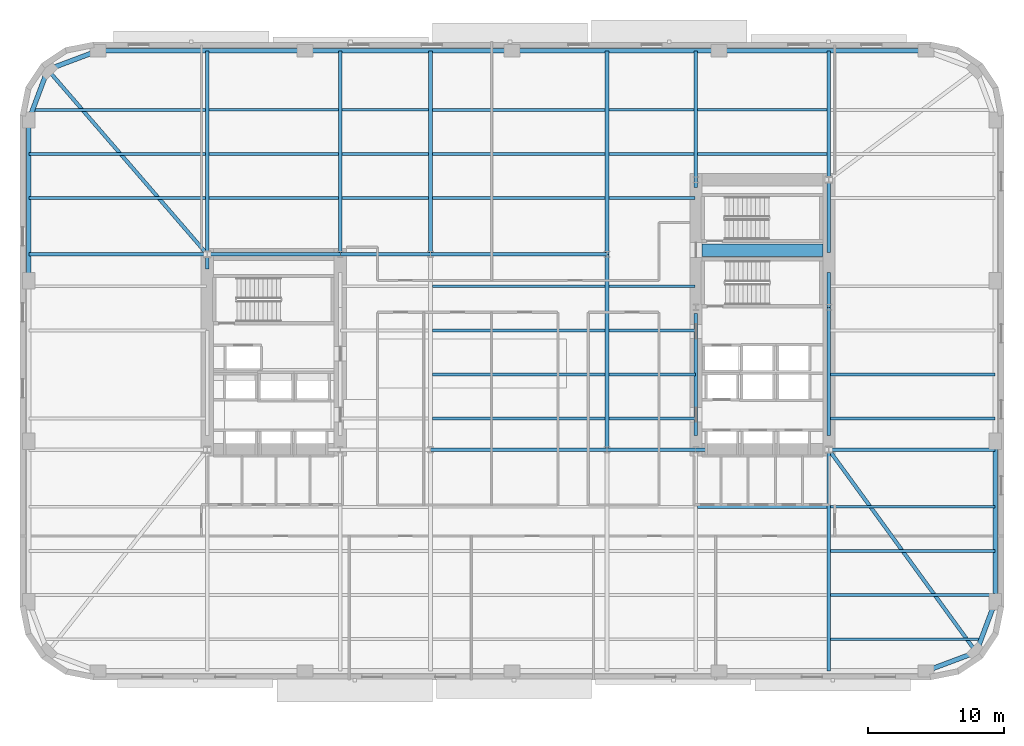
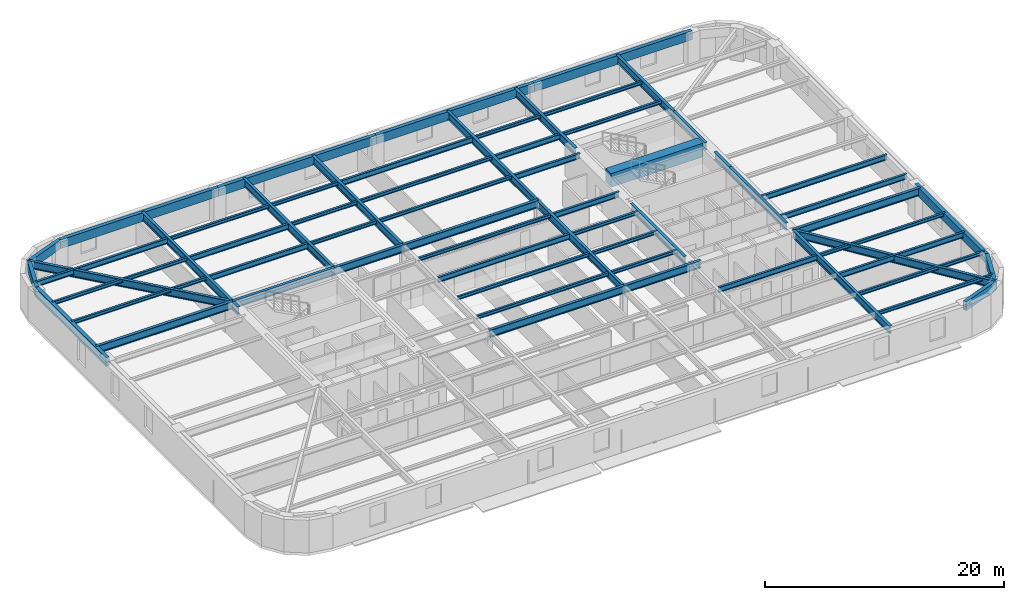
# One storey, part 2 of 14: 64 beams.
"""IFC4 building model written with IfcOpenShell, lengths in metres."""

from ifc_helpers import new_model, si_unit, direction, frame, origin, origin_2d, place, context, subcontext, project, spatial, rectangle, hollow_rectangle, i_section, extrude, material, material_profile, profile_set, type_object, element, save


model = new_model("IFC4")

# Units and contexts
model_context = context("Model", 3, precision=1e-05, world=origin(), true_north=direction((0.0, 1.0)))
body_context = subcontext(model_context, "Body", "Model", "MODEL_VIEW")
ifc_project = project(units=[si_unit("LENGTHUNIT", "METRE"), si_unit("AREAUNIT", "SQUARE_METRE"), si_unit("VOLUMEUNIT", "CUBIC_METRE"), si_unit("PLANEANGLEUNIT", "RADIAN"), si_unit("MASSUNIT", "GRAM", prefix="KILO")], contexts=[model_context])

# Site, building, storey
site_placement = place(None, origin())
site = spatial("IfcSite", under=ifc_project, at=site_placement, CompositionType="ELEMENT")
building_placement = place(site_placement, origin())
building = spatial("IfcBuilding", under=site, at=building_placement, Name="Kolvaren Arena Tower", CompositionType="ELEMENT")
storey_placement = place(building_placement, frame((0.0, 0.0, 90.75)))
storey = spatial("IfcBuildingStorey", under=building, at=storey_placement, Name="L20", CompositionType="ELEMENT", Elevation=90.75)

# Beams
ifc_material_1 = material(Name="Steel CSA G40.21 350W", Category="steel")
ifc_material_profile_1 = material_profile(ifc_material_1, i_section(OverallWidth=0.2119140625, OverallDepth=0.54296875, WebThickness=0.01318359375, FlangeThickness=0.0244140625, FilletRadius=0.013916015625, at=origin_2d()), Name="W530x150")
ifc_profile_set_1 = profile_set([ifc_material_profile_1], Name="Steel CSA G40.21 350W")
beam_type_1 = type_object("IfcBeamType", Name="BEAM-F1", PredefinedType="BEAM", material=ifc_profile_set_1)
beam_1_placement = place(storey_placement, frame((60.485107421875, 12.0, 3.05859375), z_axis=(1.0, 0.0, 0.0), x_axis=(0.0, 1.0, 0.0)))
element("IfcBeam", 1, at=beam_1_placement, inside=storey, type_object=beam_type_1, Name="Composite Floor Beam (L20)", PredefinedType="BEAM", context=body_context, shape_type="SweptSolid", body=[
    extrude(i_section(OverallWidth=0.2119140625, OverallDepth=0.54296875, WebThickness=0.01318359375, FlangeThickness=0.0244140625, FilletRadius=0.013916015625, at=origin_2d()), origin(), (0.0, 0.0, 1.0), 12.114990234375),
])
beam_2_placement = place(storey_placement, frame((50.68505859375, 15.25, 3.05859375), z_axis=(1.0, 0.0, 0.0), x_axis=(0.0, 1.0, 0.0)))
element("IfcBeam", 2, at=beam_2_placement, inside=storey, type_object=beam_type_1, Name="Composite Floor Beam (L20)", PredefinedType="BEAM", context=body_context, shape_type="SweptSolid", body=[
    extrude(i_section(OverallWidth=0.2119140625, OverallDepth=0.54296875, WebThickness=0.01318359375, FlangeThickness=0.0244140625, FilletRadius=0.013916015625, at=origin_2d()), origin(), (0.0, 0.0, 1.0), 9.530029296875),
])
for number, where, z_axis, x_axis, name in (
    (3, (60.3701171875, 21.75, 3.05859375), (1.0, 0.0, 0.0), (0.0, 1.0, 0.0), "Composite Floor Beam (L20)"),
    (4, (60.3701171875, 25.0, 3.05859375), (1.0, 0.0, 0.0), (0.0, 1.0, 0.0), "Composite Floor Beam (L20)"),
):
    element("IfcBeam", number, at=place(storey_placement, frame(where, z_axis=z_axis, x_axis=x_axis)), inside=storey, type_object=beam_type_1, Name=name, PredefinedType="BEAM", context=body_context, shape_type="SweptSolid", body=[
        extrude(i_section(OverallWidth=0.2119140625, OverallDepth=0.54296875, WebThickness=0.01318359375, FlangeThickness=0.0244140625, FilletRadius=0.013916015625, at=origin_2d()), origin(), (0.0, 0.0, 1.0), 12.22998046875),
    ])
beam_3_placement = place(storey_placement, frame((31.135009765625, 28.25, 3.05859375), z_axis=(1.0, 0.0, 0.0), x_axis=(0.0, 1.0, 0.0)))
element("IfcBeam", 5, at=beam_3_placement, inside=storey, type_object=beam_type_1, Name="Composite Floor Beam (L20)", PredefinedType="BEAM", context=body_context, shape_type="SweptSolid", body=[
    extrude(i_section(OverallWidth=0.2119140625, OverallDepth=0.54296875, WebThickness=0.01318359375, FlangeThickness=0.0244140625, FilletRadius=0.013916015625, at=origin_2d()), origin(), (0.0, 0.0, 1.0), 12.72998046875),
])
beam_4_placement = place(storey_placement, frame((44.135009765625, 31.5, 3.05859375), z_axis=(1.0, 0.0, 0.0), x_axis=(0.0, 1.0, 0.0)))
element("IfcBeam", 6, at=beam_4_placement, inside=storey, type_object=beam_type_1, Name="Composite Floor Beam (L20)", PredefinedType="BEAM", context=body_context, shape_type="SweptSolid", body=[
    extrude(i_section(OverallWidth=0.2119140625, OverallDepth=0.54296875, WebThickness=0.01318359375, FlangeThickness=0.0244140625, FilletRadius=0.013916015625, at=origin_2d()), origin(), (0.0, 0.0, 1.0), 6.344970703125),
])
beam_5_placement = place(storey_placement, frame((14.68505859375, 38.0, 3.05859375), z_axis=(1.0, 0.0, 0.0), x_axis=(0.0, 1.0, 0.0)))
element("IfcBeam", 7, at=beam_5_placement, inside=storey, type_object=beam_type_1, Name="Composite Floor Beam (L20)", PredefinedType="BEAM", context=body_context, shape_type="SweptSolid", body=[
    extrude(i_section(OverallWidth=0.2119140625, OverallDepth=0.54296875, WebThickness=0.01318359375, FlangeThickness=0.0244140625, FilletRadius=0.013916015625, at=origin_2d()), origin(), (0.0, 0.0, 1.0), 9.530029296875),
])
beam_6_placement = place(storey_placement, frame((44.135009765625, 38.0, 3.05859375), z_axis=(1.0, 0.0, 0.0), x_axis=(0.0, 1.0, 0.0)))
element("IfcBeam", 8, at=beam_6_placement, inside=storey, type_object=beam_type_1, Name="Composite Floor Beam (L20)", PredefinedType="BEAM", context=body_context, shape_type="SweptSolid", body=[
    extrude(i_section(OverallWidth=0.2119140625, OverallDepth=0.54296875, WebThickness=0.01318359375, FlangeThickness=0.0244140625, FilletRadius=0.013916015625, at=origin_2d()), origin(), (0.0, 0.0, 1.0), 6.344970703125),
])
beam_7_placement = place(storey_placement, frame((14.68505859375, 41.25, 3.05859375), z_axis=(1.0, 0.0, 0.0), x_axis=(0.0, 1.0, 0.0)))
element("IfcBeam", 9, at=beam_7_placement, inside=storey, type_object=beam_type_1, Name="Composite Floor Beam (L20)", PredefinedType="BEAM", context=body_context, shape_type="SweptSolid", body=[
    extrude(i_section(OverallWidth=0.2119140625, OverallDepth=0.54296875, WebThickness=0.01318359375, FlangeThickness=0.0244140625, FilletRadius=0.013916015625, at=origin_2d()), origin(), (0.0, 0.0, 1.0), 9.530029296875),
])
beam_8_placement = place(storey_placement, frame((44.135009765625, 41.25, 3.05859375), z_axis=(1.0, 0.0, 0.0), x_axis=(0.0, 1.0, 0.0)))
element("IfcBeam", 10, at=beam_8_placement, inside=storey, type_object=beam_type_1, Name="Composite Floor Beam (L20)", PredefinedType="BEAM", context=body_context, shape_type="SweptSolid", body=[
    extrude(i_section(OverallWidth=0.2119140625, OverallDepth=0.54296875, WebThickness=0.01318359375, FlangeThickness=0.0244140625, FilletRadius=0.013916015625, at=origin_2d()), origin(), (0.0, 0.0, 1.0), 6.280029296875),
])
beam_9_placement = place(storey_placement, frame((1.681396484375, 44.5, 3.05859375), z_axis=(1.0, 0.0, 0.0), x_axis=(0.0, 1.0, 0.0)))
element("IfcBeam", 11, at=beam_9_placement, inside=storey, type_object=beam_type_1, Name="Composite Floor Beam (L20)", PredefinedType="BEAM", context=body_context, shape_type="SweptSolid", body=[
    extrude(i_section(OverallWidth=0.2119140625, OverallDepth=0.54296875, WebThickness=0.01318359375, FlangeThickness=0.0244140625, FilletRadius=0.013916015625, at=origin_2d()), origin(), (0.0, 0.0, 1.0), 12.733642578125),
])
beam_10_placement = place(storey_placement, frame((31.135009765625, 44.5, 3.05859375), z_axis=(1.0, 0.0, 0.0), x_axis=(0.0, 1.0, 0.0)))
element("IfcBeam", 12, at=beam_10_placement, inside=storey, type_object=beam_type_1, Name="Composite Floor Beam (L20)", PredefinedType="BEAM", context=body_context, shape_type="SweptSolid", body=[
    extrude(i_section(OverallWidth=0.2119140625, OverallDepth=0.54296875, WebThickness=0.01318359375, FlangeThickness=0.0244140625, FilletRadius=0.013916015625, at=origin_2d()), origin(), (0.0, 0.0, 1.0), 12.72998046875),
])
ifc_material_2 = material(Name="Concrete 75 MPa", Category="concrete")
ifc_material_profile_2 = material_profile(ifc_material_2, rectangle(XDim=0.89990234375, YDim=1.39990234375, at=origin_2d()), Name="RC-900x1400")
ifc_profile_set_2 = profile_set([ifc_material_profile_2], Name="Concrete 75 MPa")
beam_type_2 = type_object("IfcBeamType", Name="CB-CORE-1", PredefinedType="BEAM", material=ifc_profile_set_2)
beam_11_placement = place(storey_placement, frame((51.0, 34.14990234375, 2.89990234375), z_axis=(1.0, 0.0, 0.0), x_axis=(0.0, 1.0, 0.0)))
element("IfcBeam", 13, at=beam_11_placement, inside=storey, type_object=beam_type_2, Name="East Core Coupling Beam (L20)", PredefinedType="BEAM", context=body_context, shape_type="SweptSolid", body=[
    extrude(rectangle(XDim=0.89990234375, YDim=1.39990234375, at=origin_2d()), origin(), (0.0, 0.0, 1.0), 8.89990234375),
])
ifc_material_profile_3 = material_profile(ifc_material_1, i_section(OverallWidth=0.27001953125, OverallDepth=0.77294921875, WebThickness=0.019287109375, FlangeThickness=0.033447265625, FilletRadius=0.01806640625, at=origin_2d()), Name="W760x257")
ifc_profile_set_3 = profile_set([ifc_material_profile_3], Name="Steel CSA G40.21 350W")
beam_type_3 = type_object("IfcBeamType", Name="GIRD-T1", PredefinedType="BEAM", material=ifc_profile_set_3)
beam_12_placement = place(storey_placement, frame((71.208740234375, 4.541259765625, 2.943603515625), z_axis=(-0.588737448901, 0.80832432616, 0.0), x_axis=(-0.80832432616, -0.588737448901, 0.0)))
element("IfcBeam", 14, at=beam_12_placement, inside=storey, type_object=beam_type_3, Name="Corner Diagonal Tie Girder (L20)", PredefinedType="BEAM", context=body_context, shape_type="SweptSolid", body=[
    extrude(i_section(OverallWidth=0.27001953125, OverallDepth=0.77294921875, WebThickness=0.019287109375, FlangeThickness=0.033447265625, FilletRadius=0.01806640625, at=origin_2d()), origin(), (0.0, 0.0, 1.0), 18.44384765625),
])
beam_13_placement = place(storey_placement, frame((2.791259765625, 47.458740234375, 2.943603515625), z_axis=(0.653806810332, -0.756661519283, 0.0), x_axis=(0.756661519283, 0.653806810332, 0.0)))
element("IfcBeam", 15, at=beam_13_placement, inside=storey, type_object=beam_type_3, Name="Corner Diagonal Tie Girder (L20)", PredefinedType="BEAM", context=body_context, shape_type="SweptSolid", body=[
    extrude(i_section(OverallWidth=0.27001953125, OverallDepth=0.77294921875, WebThickness=0.019287109375, FlangeThickness=0.033447265625, FilletRadius=0.01806640625, at=origin_2d()), origin(), (0.0, 0.0, 1.0), 17.985107421875),
])
beam_14_placement = place(storey_placement, frame((31.0, 19.449951171875, 2.943603515625), z_axis=(1.0, 0.0, 0.0), x_axis=(0.0, 1.0, 0.0)))
element("IfcBeam", 16, at=beam_14_placement, inside=storey, type_object=beam_type_3, Name="Primary Floor Girder (L20)", PredefinedType="BEAM", context=body_context, shape_type="SweptSolid", body=[
    extrude(i_section(OverallWidth=0.27001953125, OverallDepth=0.77294921875, WebThickness=0.019287109375, FlangeThickness=0.033447265625, FilletRadius=0.01806640625, at=origin_2d()), origin(), (0.0, 0.0, 1.0), 13.0),
])
beam_15_placement = place(storey_placement, frame((44.0, 19.449951171875, 2.943603515625), z_axis=(1.0, 0.0, 0.0), x_axis=(0.0, 1.0, 0.0)))
element("IfcBeam", 17, at=beam_15_placement, inside=storey, type_object=beam_type_3, Name="Primary Floor Girder (L20)", PredefinedType="BEAM", context=body_context, shape_type="SweptSolid", body=[
    extrude(i_section(OverallWidth=0.27001953125, OverallDepth=0.77294921875, WebThickness=0.019287109375, FlangeThickness=0.033447265625, FilletRadius=0.01806640625, at=origin_2d()), origin(), (0.0, 0.0, 1.0), 7.4150390625),
])
beam_16_placement = place(storey_placement, frame((60.35009765625, 19.449951171875, 2.943603515625), z_axis=(1.0, 0.0, 0.0), x_axis=(0.0, 1.0, 0.0)))
element("IfcBeam", 18, at=beam_16_placement, inside=storey, type_object=beam_type_3, Name="Primary Floor Girder (L20)", PredefinedType="BEAM", context=body_context, shape_type="SweptSolid", body=[
    extrude(i_section(OverallWidth=0.27001953125, OverallDepth=0.77294921875, WebThickness=0.019287109375, FlangeThickness=0.033447265625, FilletRadius=0.01806640625, at=origin_2d()), origin(), (0.0, 0.0, 1.0), 12.25),
])
beam_17_placement = place(storey_placement, frame((1.39990234375, 33.85009765625, 2.943603515625), z_axis=(1.0, 0.0, 0.0), x_axis=(0.0, 1.0, 0.0)))
element("IfcBeam", 19, at=beam_17_placement, inside=storey, type_object=beam_type_3, Name="Primary Floor Girder (L20)", PredefinedType="BEAM", context=body_context, shape_type="SweptSolid", body=[
    extrude(i_section(OverallWidth=0.27001953125, OverallDepth=0.77294921875, WebThickness=0.019287109375, FlangeThickness=0.033447265625, FilletRadius=0.01806640625, at=origin_2d()), origin(), (0.0, 0.0, 1.0), 13.150146484375),
])
beam_18_placement = place(storey_placement, frame((14.550048828125, 33.85009765625, 2.943603515625), z_axis=(1.0, 0.0, 0.0), x_axis=(0.0, 1.0, 0.0)))
element("IfcBeam", 20, at=beam_18_placement, inside=storey, type_object=beam_type_3, Name="Primary Floor Girder (L20)", PredefinedType="BEAM", context=body_context, shape_type="SweptSolid", body=[
    extrude(i_section(OverallWidth=0.27001953125, OverallDepth=0.77294921875, WebThickness=0.019287109375, FlangeThickness=0.033447265625, FilletRadius=0.01806640625, at=origin_2d()), origin(), (0.0, 0.0, 1.0), 9.800048828125),
])
beam_19_placement = place(storey_placement, frame((24.35009765625, 33.85009765625, 2.943603515625), z_axis=(1.0, 0.0, 0.0), x_axis=(0.0, 1.0, 0.0)))
element("IfcBeam", 21, at=beam_19_placement, inside=storey, type_object=beam_type_3, Name="Primary Floor Girder (L20)", PredefinedType="BEAM", context=body_context, shape_type="SweptSolid", body=[
    extrude(i_section(OverallWidth=0.27001953125, OverallDepth=0.77294921875, WebThickness=0.019287109375, FlangeThickness=0.033447265625, FilletRadius=0.01806640625, at=origin_2d()), origin(), (0.0, 0.0, 1.0), 6.64990234375),
])
beam_20_placement = place(storey_placement, frame((31.0, 33.85009765625, 2.943603515625), z_axis=(1.0, 0.0, 0.0), x_axis=(0.0, 1.0, 0.0)))
element("IfcBeam", 22, at=beam_20_placement, inside=storey, type_object=beam_type_3, Name="Primary Floor Girder (L20)", PredefinedType="BEAM", context=body_context, shape_type="SweptSolid", body=[
    extrude(i_section(OverallWidth=0.27001953125, OverallDepth=0.77294921875, WebThickness=0.019287109375, FlangeThickness=0.033447265625, FilletRadius=0.01806640625, at=origin_2d()), origin(), (0.0, 0.0, 1.0), 13.0),
])
beam_21_placement = place(storey_placement, frame((14.550048828125, 32.7900390625, 2.943603515625), z_axis=(0.0, 1.0, 0.0), x_axis=(-1.0, 0.0, 0.0)))
element("IfcBeam", 23, at=beam_21_placement, inside=storey, type_object=beam_type_3, Name="Primary Floor Girder (L20)", PredefinedType="BEAM", context=body_context, shape_type="SweptSolid", body=[
    extrude(i_section(OverallWidth=0.27001953125, OverallDepth=0.77294921875, WebThickness=0.019287109375, FlangeThickness=0.033447265625, FilletRadius=0.01806640625, at=origin_2d()), origin(), (0.0, 0.0, 1.0), 16.06005859375),
])
for number, where, z_axis, x_axis, name in (
    (24, (24.35009765625, 33.85009765625, 2.943603515625), (0.0, 1.0, 0.0), (-1.0, 0.0, 0.0), "Primary Floor Girder (L20)"),
    (25, (31.0, 33.85009765625, 2.943603515625), (0.0, 1.0, 0.0), (-1.0, 0.0, 0.0), "Primary Floor Girder (L20)"),
):
    element("IfcBeam", number, at=place(storey_placement, frame(where, z_axis=z_axis, x_axis=x_axis)), inside=storey, type_object=beam_type_3, Name=name, PredefinedType="BEAM", context=body_context, shape_type="SweptSolid", body=[
        extrude(i_section(OverallWidth=0.27001953125, OverallDepth=0.77294921875, WebThickness=0.019287109375, FlangeThickness=0.033447265625, FilletRadius=0.01806640625, at=origin_2d()), origin(), (0.0, 0.0, 1.0), 15.0),
    ])
beam_22_placement = place(storey_placement, frame((44.0, 19.449951171875, 2.943603515625), z_axis=(0.0, 1.0, 0.0), x_axis=(-1.0, 0.0, 0.0)))
element("IfcBeam", 26, at=beam_22_placement, inside=storey, type_object=beam_type_3, Name="Primary Floor Girder (L20)", PredefinedType="BEAM", context=body_context, shape_type="SweptSolid", body=[
    extrude(i_section(OverallWidth=0.27001953125, OverallDepth=0.77294921875, WebThickness=0.019287109375, FlangeThickness=0.033447265625, FilletRadius=0.01806640625, at=origin_2d()), origin(), (0.0, 0.0, 1.0), 14.400146484375),
])
beam_23_placement = place(storey_placement, frame((44.0, 33.85009765625, 2.943603515625), z_axis=(0.0, 1.0, 0.0), x_axis=(-1.0, 0.0, 0.0)))
element("IfcBeam", 27, at=beam_23_placement, inside=storey, type_object=beam_type_3, Name="Primary Floor Girder (L20)", PredefinedType="BEAM", context=body_context, shape_type="SweptSolid", body=[
    extrude(i_section(OverallWidth=0.27001953125, OverallDepth=0.77294921875, WebThickness=0.019287109375, FlangeThickness=0.033447265625, FilletRadius=0.01806640625, at=origin_2d()), origin(), (0.0, 0.0, 1.0), 15.0),
])
beam_24_placement = place(storey_placement, frame((50.550048828125, 20.5, 2.943603515625), z_axis=(0.0, 1.0, 0.0), x_axis=(-1.0, 0.0, 0.0)))
element("IfcBeam", 28, at=beam_24_placement, inside=storey, type_object=beam_type_3, Name="Primary Floor Girder (L20)", PredefinedType="BEAM", context=body_context, shape_type="SweptSolid", body=[
    extrude(i_section(OverallWidth=0.27001953125, OverallDepth=0.77294921875, WebThickness=0.019287109375, FlangeThickness=0.033447265625, FilletRadius=0.01806640625, at=origin_2d()), origin(), (0.0, 0.0, 1.0), 8.989990234375),
])
beam_25_placement = place(storey_placement, frame((50.550048828125, 38.760009765625, 2.943603515625), z_axis=(0.0, 1.0, 0.0), x_axis=(-1.0, 0.0, 0.0)))
element("IfcBeam", 29, at=beam_25_placement, inside=storey, type_object=beam_type_3, Name="Primary Floor Girder (L20)", PredefinedType="BEAM", context=body_context, shape_type="SweptSolid", body=[
    extrude(i_section(OverallWidth=0.27001953125, OverallDepth=0.77294921875, WebThickness=0.019287109375, FlangeThickness=0.033447265625, FilletRadius=0.01806640625, at=origin_2d()), origin(), (0.0, 0.0, 1.0), 10.090087890625),
])
beam_26_placement = place(storey_placement, frame((60.35009765625, 3.14990234375, 2.943603515625), z_axis=(0.0, 1.0, 0.0), x_axis=(-1.0, 0.0, 0.0)))
element("IfcBeam", 30, at=beam_26_placement, inside=storey, type_object=beam_type_3, Name="Primary Floor Girder (L20)", PredefinedType="BEAM", context=body_context, shape_type="SweptSolid", body=[
    extrude(i_section(OverallWidth=0.27001953125, OverallDepth=0.77294921875, WebThickness=0.019287109375, FlangeThickness=0.033447265625, FilletRadius=0.01806640625, at=origin_2d()), origin(), (0.0, 0.0, 1.0), 16.300048828125),
])
beam_27_placement = place(storey_placement, frame((60.35009765625, 20.5, 2.943603515625), z_axis=(0.0, 1.0, 0.0), x_axis=(-1.0, 0.0, 0.0)))
element("IfcBeam", 31, at=beam_27_placement, inside=storey, type_object=beam_type_3, Name="Primary Floor Girder (L20)", PredefinedType="BEAM", context=body_context, shape_type="SweptSolid", body=[
    extrude(i_section(OverallWidth=0.27001953125, OverallDepth=0.77294921875, WebThickness=0.019287109375, FlangeThickness=0.033447265625, FilletRadius=0.01806640625, at=origin_2d()), origin(), (0.0, 0.0, 1.0), 9.449951171875),
])
beam_28_placement = place(storey_placement, frame((60.35009765625, 29.949951171875, 2.943603515625), z_axis=(0.0, 1.0, 0.0), x_axis=(-1.0, 0.0, 0.0)))
element("IfcBeam", 32, at=beam_28_placement, inside=storey, type_object=beam_type_3, Name="Primary Floor Girder (L20)", PredefinedType="BEAM", context=body_context, shape_type="SweptSolid", body=[
    extrude(i_section(OverallWidth=0.27001953125, OverallDepth=0.77294921875, WebThickness=0.019287109375, FlangeThickness=0.033447265625, FilletRadius=0.01806640625, at=origin_2d()), origin(), (0.0, 0.0, 1.0), 2.550048828125),
])
beam_29_placement = place(storey_placement, frame((60.35009765625, 33.985107421875, 2.943603515625), z_axis=(0.0, 1.0, 0.0), x_axis=(-1.0, 0.0, 0.0)))
element("IfcBeam", 33, at=beam_29_placement, inside=storey, type_object=beam_type_3, Name="Primary Floor Girder (L20)", PredefinedType="BEAM", context=body_context, shape_type="SweptSolid", body=[
    extrude(i_section(OverallWidth=0.27001953125, OverallDepth=0.77294921875, WebThickness=0.019287109375, FlangeThickness=0.033447265625, FilletRadius=0.01806640625, at=origin_2d()), origin(), (0.0, 0.0, 1.0), 5.364990234375),
])
beam_30_placement = place(storey_placement, frame((60.35009765625, 39.35009765625, 2.943603515625), z_axis=(0.0, 1.0, 0.0), x_axis=(-1.0, 0.0, 0.0)))
element("IfcBeam", 34, at=beam_30_placement, inside=storey, type_object=beam_type_3, Name="Primary Floor Girder (L20)", PredefinedType="BEAM", context=body_context, shape_type="SweptSolid", body=[
    extrude(i_section(OverallWidth=0.27001953125, OverallDepth=0.77294921875, WebThickness=0.019287109375, FlangeThickness=0.033447265625, FilletRadius=0.01806640625, at=origin_2d()), origin(), (0.0, 0.0, 1.0), 9.5),
])
ifc_material_profile_4 = material_profile(ifc_material_1, i_section(OverallWidth=0.202880859375, OverallDepth=0.346923828125, WebThickness=0.0078125, FlangeThickness=0.013427734375, FilletRadius=0.010986328125, at=origin_2d()), Name="W360x64")
ifc_profile_set_4 = profile_set([ifc_material_profile_4], Name="Steel CSA G40.21 350W")
beam_type_4 = type_object("IfcBeamType", Name="JOIST-01", PredefinedType="JOIST", material=ifc_profile_set_4)
beam_31_placement = place(storey_placement, frame((60.485107421875, 5.5, 3.156494140625), z_axis=(1.0, 0.0, 0.0), x_axis=(0.0, 1.0, 0.0)))
element("IfcBeam", 35, at=beam_31_placement, inside=storey, type_object=beam_type_4, Name="Composite Floor Joist (L20)", PredefinedType="JOIST", context=body_context, shape_type="SweptSolid", body=[
    extrude(i_section(OverallWidth=0.202880859375, OverallDepth=0.346923828125, WebThickness=0.0078125, FlangeThickness=0.013427734375, FilletRadius=0.010986328125, at=origin_2d()), origin(), (0.0, 0.0, 1.0), 11.08349609375),
])
for number, where, z_axis, x_axis, name in (
    (36, (60.485107421875, 8.75, 3.156494140625), (1.0, 0.0, 0.0), (0.0, 1.0, 0.0), "Composite Floor Joist (L20)"),
    (37, (60.485107421875, 15.25, 3.156494140625), (1.0, 0.0, 0.0), (0.0, 1.0, 0.0), "Composite Floor Joist (L20)"),
):
    element("IfcBeam", number, at=place(storey_placement, frame(where, z_axis=z_axis, x_axis=x_axis)), inside=storey, type_object=beam_type_4, Name=name, PredefinedType="JOIST", context=body_context, shape_type="SweptSolid", body=[
        extrude(i_section(OverallWidth=0.202880859375, OverallDepth=0.346923828125, WebThickness=0.0078125, FlangeThickness=0.013427734375, FilletRadius=0.010986328125, at=origin_2d()), origin(), (0.0, 0.0, 1.0), 12.114990234375),
    ])
beam_32_placement = place(storey_placement, frame((31.135009765625, 21.75, 3.156494140625), z_axis=(1.0, 0.0, 0.0), x_axis=(0.0, 1.0, 0.0)))
element("IfcBeam", 38, at=beam_32_placement, inside=storey, type_object=beam_type_4, Name="Composite Floor Joist (L20)", PredefinedType="JOIST", context=body_context, shape_type="SweptSolid", body=[
    extrude(i_section(OverallWidth=0.202880859375, OverallDepth=0.346923828125, WebThickness=0.0078125, FlangeThickness=0.013427734375, FilletRadius=0.010986328125, at=origin_2d()), origin(), (0.0, 0.0, 1.0), 12.72998046875),
])
beam_33_placement = place(storey_placement, frame((44.135009765625, 21.75, 3.156494140625), z_axis=(1.0, 0.0, 0.0), x_axis=(0.0, 1.0, 0.0)))
element("IfcBeam", 39, at=beam_33_placement, inside=storey, type_object=beam_type_4, Name="Composite Floor Joist (L20)", PredefinedType="JOIST", context=body_context, shape_type="SweptSolid", body=[
    extrude(i_section(OverallWidth=0.202880859375, OverallDepth=0.346923828125, WebThickness=0.0078125, FlangeThickness=0.013427734375, FilletRadius=0.010986328125, at=origin_2d()), origin(), (0.0, 0.0, 1.0), 6.39501953125),
])
beam_34_placement = place(storey_placement, frame((31.135009765625, 25.0, 3.156494140625), z_axis=(1.0, 0.0, 0.0), x_axis=(0.0, 1.0, 0.0)))
element("IfcBeam", 40, at=beam_34_placement, inside=storey, type_object=beam_type_4, Name="Composite Floor Joist (L20)", PredefinedType="JOIST", context=body_context, shape_type="SweptSolid", body=[
    extrude(i_section(OverallWidth=0.202880859375, OverallDepth=0.346923828125, WebThickness=0.0078125, FlangeThickness=0.013427734375, FilletRadius=0.010986328125, at=origin_2d()), origin(), (0.0, 0.0, 1.0), 12.72998046875),
])
for number, where, z_axis, x_axis, name in (
    (41, (44.135009765625, 25.0, 3.156494140625), (1.0, 0.0, 0.0), (0.0, 1.0, 0.0), "Composite Floor Joist (L20)"),
    (42, (44.135009765625, 28.25, 3.156494140625), (1.0, 0.0, 0.0), (0.0, 1.0, 0.0), "Composite Floor Joist (L20)"),
):
    element("IfcBeam", number, at=place(storey_placement, frame(where, z_axis=z_axis, x_axis=x_axis)), inside=storey, type_object=beam_type_4, Name=name, PredefinedType="JOIST", context=body_context, shape_type="SweptSolid", body=[
        extrude(i_section(OverallWidth=0.202880859375, OverallDepth=0.346923828125, WebThickness=0.0078125, FlangeThickness=0.013427734375, FilletRadius=0.010986328125, at=origin_2d()), origin(), (0.0, 0.0, 1.0), 6.39501953125),
    ])
beam_35_placement = place(storey_placement, frame((31.135009765625, 31.5, 3.156494140625), z_axis=(1.0, 0.0, 0.0), x_axis=(0.0, 1.0, 0.0)))
element("IfcBeam", 43, at=beam_35_placement, inside=storey, type_object=beam_type_4, Name="Composite Floor Joist (L20)", PredefinedType="JOIST", context=body_context, shape_type="SweptSolid", body=[
    extrude(i_section(OverallWidth=0.202880859375, OverallDepth=0.346923828125, WebThickness=0.0078125, FlangeThickness=0.013427734375, FilletRadius=0.010986328125, at=origin_2d()), origin(), (0.0, 0.0, 1.0), 12.72998046875),
])
beam_36_placement = place(storey_placement, frame((1.39990234375, 38.0, 3.156494140625), z_axis=(1.0, 0.0, 0.0), x_axis=(0.0, 1.0, 0.0)))
element("IfcBeam", 44, at=beam_36_placement, inside=storey, type_object=beam_type_4, Name="Composite Floor Joist (L20)", PredefinedType="JOIST", context=body_context, shape_type="SweptSolid", body=[
    extrude(i_section(OverallWidth=0.202880859375, OverallDepth=0.346923828125, WebThickness=0.0078125, FlangeThickness=0.013427734375, FilletRadius=0.010986328125, at=origin_2d()), origin(), (0.0, 0.0, 1.0), 13.01513671875),
])
beam_37_placement = place(storey_placement, frame((24.485107421875, 38.0, 3.156494140625), z_axis=(1.0, 0.0, 0.0), x_axis=(0.0, 1.0, 0.0)))
element("IfcBeam", 45, at=beam_37_placement, inside=storey, type_object=beam_type_4, Name="Composite Floor Joist (L20)", PredefinedType="JOIST", context=body_context, shape_type="SweptSolid", body=[
    extrude(i_section(OverallWidth=0.202880859375, OverallDepth=0.346923828125, WebThickness=0.0078125, FlangeThickness=0.013427734375, FilletRadius=0.010986328125, at=origin_2d()), origin(), (0.0, 0.0, 1.0), 6.3798828125),
])
beam_38_placement = place(storey_placement, frame((31.135009765625, 38.0, 3.156494140625), z_axis=(1.0, 0.0, 0.0), x_axis=(0.0, 1.0, 0.0)))
element("IfcBeam", 46, at=beam_38_placement, inside=storey, type_object=beam_type_4, Name="Composite Floor Joist (L20)", PredefinedType="JOIST", context=body_context, shape_type="SweptSolid", body=[
    extrude(i_section(OverallWidth=0.202880859375, OverallDepth=0.346923828125, WebThickness=0.0078125, FlangeThickness=0.013427734375, FilletRadius=0.010986328125, at=origin_2d()), origin(), (0.0, 0.0, 1.0), 12.72998046875),
])
beam_39_placement = place(storey_placement, frame((1.39990234375, 41.25, 3.156494140625), z_axis=(1.0, 0.0, 0.0), x_axis=(0.0, 1.0, 0.0)))
element("IfcBeam", 47, at=beam_39_placement, inside=storey, type_object=beam_type_4, Name="Composite Floor Joist (L20)", PredefinedType="JOIST", context=body_context, shape_type="SweptSolid", body=[
    extrude(i_section(OverallWidth=0.202880859375, OverallDepth=0.346923828125, WebThickness=0.0078125, FlangeThickness=0.013427734375, FilletRadius=0.010986328125, at=origin_2d()), origin(), (0.0, 0.0, 1.0), 13.01513671875),
])
beam_40_placement = place(storey_placement, frame((24.485107421875, 41.25, 3.156494140625), z_axis=(1.0, 0.0, 0.0), x_axis=(0.0, 1.0, 0.0)))
element("IfcBeam", 48, at=beam_40_placement, inside=storey, type_object=beam_type_4, Name="Composite Floor Joist (L20)", PredefinedType="JOIST", context=body_context, shape_type="SweptSolid", body=[
    extrude(i_section(OverallWidth=0.202880859375, OverallDepth=0.346923828125, WebThickness=0.0078125, FlangeThickness=0.013427734375, FilletRadius=0.010986328125, at=origin_2d()), origin(), (0.0, 0.0, 1.0), 6.3798828125),
])
beam_41_placement = place(storey_placement, frame((31.135009765625, 41.25, 3.156494140625), z_axis=(1.0, 0.0, 0.0), x_axis=(0.0, 1.0, 0.0)))
element("IfcBeam", 49, at=beam_41_placement, inside=storey, type_object=beam_type_4, Name="Composite Floor Joist (L20)", PredefinedType="JOIST", context=body_context, shape_type="SweptSolid", body=[
    extrude(i_section(OverallWidth=0.202880859375, OverallDepth=0.346923828125, WebThickness=0.0078125, FlangeThickness=0.013427734375, FilletRadius=0.010986328125, at=origin_2d()), origin(), (0.0, 0.0, 1.0), 12.72998046875),
])
for number, where, z_axis, x_axis, name in (
    (50, (50.68505859375, 41.25, 3.156494140625), (1.0, 0.0, 0.0), (0.0, 1.0, 0.0), "Composite Floor Joist (L20)"),
    (51, (14.68505859375, 44.5, 3.156494140625), (1.0, 0.0, 0.0), (0.0, 1.0, 0.0), "Composite Floor Joist (L20)"),
):
    element("IfcBeam", number, at=place(storey_placement, frame(where, z_axis=z_axis, x_axis=x_axis)), inside=storey, type_object=beam_type_4, Name=name, PredefinedType="JOIST", context=body_context, shape_type="SweptSolid", body=[
        extrude(i_section(OverallWidth=0.202880859375, OverallDepth=0.346923828125, WebThickness=0.0078125, FlangeThickness=0.013427734375, FilletRadius=0.010986328125, at=origin_2d()), origin(), (0.0, 0.0, 1.0), 9.530029296875),
    ])
beam_42_placement = place(storey_placement, frame((24.485107421875, 44.5, 3.156494140625), z_axis=(1.0, 0.0, 0.0), x_axis=(0.0, 1.0, 0.0)))
element("IfcBeam", 52, at=beam_42_placement, inside=storey, type_object=beam_type_4, Name="Composite Floor Joist (L20)", PredefinedType="JOIST", context=body_context, shape_type="SweptSolid", body=[
    extrude(i_section(OverallWidth=0.202880859375, OverallDepth=0.346923828125, WebThickness=0.0078125, FlangeThickness=0.013427734375, FilletRadius=0.010986328125, at=origin_2d()), origin(), (0.0, 0.0, 1.0), 6.3798828125),
])
beam_43_placement = place(storey_placement, frame((44.135009765625, 44.5, 3.156494140625), z_axis=(1.0, 0.0, 0.0), x_axis=(0.0, 1.0, 0.0)))
element("IfcBeam", 53, at=beam_43_placement, inside=storey, type_object=beam_type_4, Name="Composite Floor Joist (L20)", PredefinedType="JOIST", context=body_context, shape_type="SweptSolid", body=[
    extrude(i_section(OverallWidth=0.202880859375, OverallDepth=0.346923828125, WebThickness=0.0078125, FlangeThickness=0.013427734375, FilletRadius=0.010986328125, at=origin_2d()), origin(), (0.0, 0.0, 1.0), 6.280029296875),
])
beam_44_placement = place(storey_placement, frame((50.68505859375, 44.5, 3.156494140625), z_axis=(1.0, 0.0, 0.0), x_axis=(0.0, 1.0, 0.0)))
element("IfcBeam", 54, at=beam_44_placement, inside=storey, type_object=beam_type_4, Name="Composite Floor Joist (L20)", PredefinedType="JOIST", context=body_context, shape_type="SweptSolid", body=[
    extrude(i_section(OverallWidth=0.202880859375, OverallDepth=0.346923828125, WebThickness=0.0078125, FlangeThickness=0.013427734375, FilletRadius=0.010986328125, at=origin_2d()), origin(), (0.0, 0.0, 1.0), 9.530029296875),
])
ifc_material_3 = material(Name="Steel CSA G40.21 350WT", Category="steel")
ifc_material_profile_5 = material_profile(ifc_material_3, hollow_rectangle(XDim=0.35009765625, YDim=0.89990234375, WallThickness=0.02001953125, at=origin_2d()), Name="HSS 900x350x20")
ifc_profile_set_5 = profile_set([ifc_material_profile_5], Name="Steel CSA G40.21 350WT")
beam_type_5 = type_object("IfcBeamType", Name="SPAND-01", PredefinedType="SPANDREL", material=ifc_profile_set_5)
for number, where, z_axis, x_axis, name in (
    (55, (67.5, 3.14990234375, 2.8798828125), (0.93628104365, 0.351251771955, 0.0), (-0.351251771955, 0.93628104365, 0.0), "Perimeter Spandrel Beam (L20)"),
    (56, (71.208740234375, 4.541259765625, 2.8798828125), (0.351251771955, 0.93628104365, 0.0), (-0.93628104365, 0.351251771955, 0.0), "Perimeter Spandrel Beam (L20)"),
):
    element("IfcBeam", number, at=place(storey_placement, frame(where, z_axis=z_axis, x_axis=x_axis)), inside=storey, type_object=beam_type_5, Name=name, PredefinedType="SPANDREL", context=body_context, shape_type="SweptSolid", body=[
        extrude(hollow_rectangle(XDim=0.35009765625, YDim=0.89990234375, WallThickness=0.02001953125, at=origin_2d()), origin(), (0.0, 0.0, 1.0), 3.961181640625),
    ])
beam_45_placement = place(storey_placement, frame((72.60009765625, 8.25, 2.8798828125), z_axis=(0.0, 1.0, 0.0), x_axis=(-1.0, 0.0, 0.0)))
element("IfcBeam", 57, at=beam_45_placement, inside=storey, type_object=beam_type_5, Name="Perimeter Spandrel Beam (L20)", PredefinedType="SPANDREL", context=body_context, shape_type="SweptSolid", body=[
    extrude(hollow_rectangle(XDim=0.35009765625, YDim=0.89990234375, WallThickness=0.02001953125, at=origin_2d()), origin(), (0.0, 0.0, 1.0), 11.833251953125),
])
for number, where, z_axis, x_axis, name in (
    (58, (67.5, 48.85009765625, 2.8798828125), (-1.0, 0.0, 0.0), (0.0, -1.0, 0.0), "Perimeter Spandrel Beam (L20)"),
    (59, (52.25, 48.85009765625, 2.8798828125), (-1.0, 0.0, 0.0), (0.0, -1.0, 0.0), "Perimeter Spandrel Beam (L20)"),
    (60, (37.0, 48.85009765625, 2.8798828125), (-1.0, 0.0, 0.0), (0.0, -1.0, 0.0), "Perimeter Spandrel Beam (L20)"),
    (61, (21.75, 48.85009765625, 2.8798828125), (-1.0, 0.0, 0.0), (0.0, -1.0, 0.0), "Perimeter Spandrel Beam (L20)"),
):
    element("IfcBeam", number, at=place(storey_placement, frame(where, z_axis=z_axis, x_axis=x_axis)), inside=storey, type_object=beam_type_5, Name=name, PredefinedType="SPANDREL", context=body_context, shape_type="SweptSolid", body=[
        extrude(hollow_rectangle(XDim=0.35009765625, YDim=0.89990234375, WallThickness=0.02001953125, at=origin_2d()), origin(), (0.0, 0.0, 1.0), 15.25),
    ])
for number, where, z_axis, x_axis, name in (
    (62, (6.5, 48.85009765625, 2.8798828125), (-0.93628104365, -0.351251771955, 0.0), (0.351251771955, -0.93628104365, 0.0), "Perimeter Spandrel Beam (L20)"),
    (63, (2.791259765625, 47.458740234375, 2.8798828125), (-0.351251771955, -0.93628104365, 0.0), (0.93628104365, -0.351251771955, 0.0), "Perimeter Spandrel Beam (L20)"),
):
    element("IfcBeam", number, at=place(storey_placement, frame(where, z_axis=z_axis, x_axis=x_axis)), inside=storey, type_object=beam_type_5, Name=name, PredefinedType="SPANDREL", context=body_context, shape_type="SweptSolid", body=[
        extrude(hollow_rectangle(XDim=0.35009765625, YDim=0.89990234375, WallThickness=0.02001953125, at=origin_2d()), origin(), (0.0, 0.0, 1.0), 3.961181640625),
    ])
beam_46_placement = place(storey_placement, frame((1.39990234375, 43.75, 2.8798828125), z_axis=(0.0, -1.0, 0.0), x_axis=(1.0, 0.0, 0.0)))
element("IfcBeam", 64, at=beam_46_placement, inside=storey, type_object=beam_type_5, Name="Perimeter Spandrel Beam (L20)", PredefinedType="SPANDREL", context=body_context, shape_type="SweptSolid", body=[
    extrude(hollow_rectangle(XDim=0.35009765625, YDim=0.89990234375, WallThickness=0.02001953125, at=origin_2d()), origin(), (0.0, 0.0, 1.0), 11.833251953125),
])

save(model, "model.ifc")
